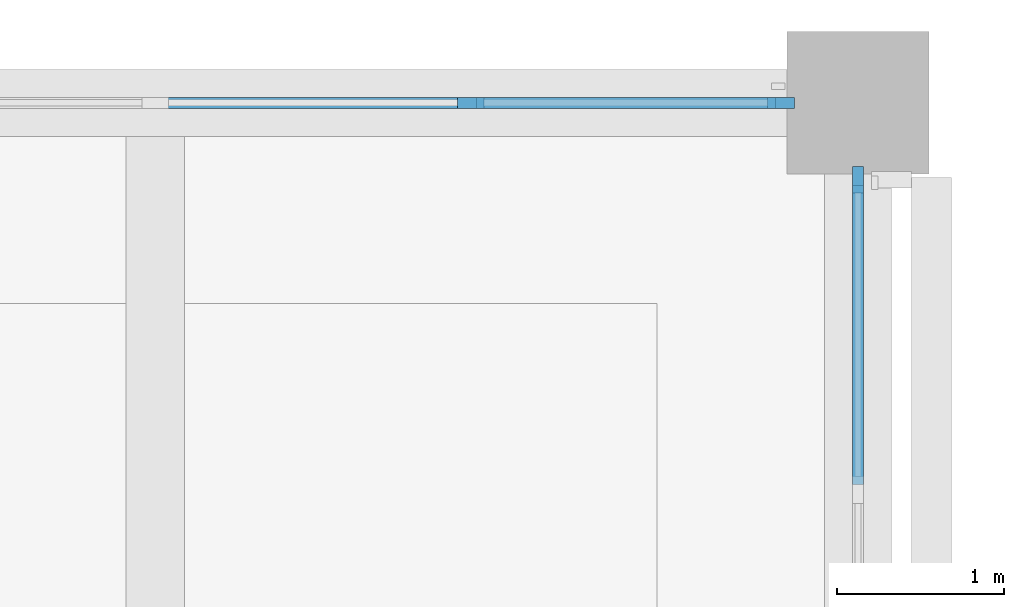
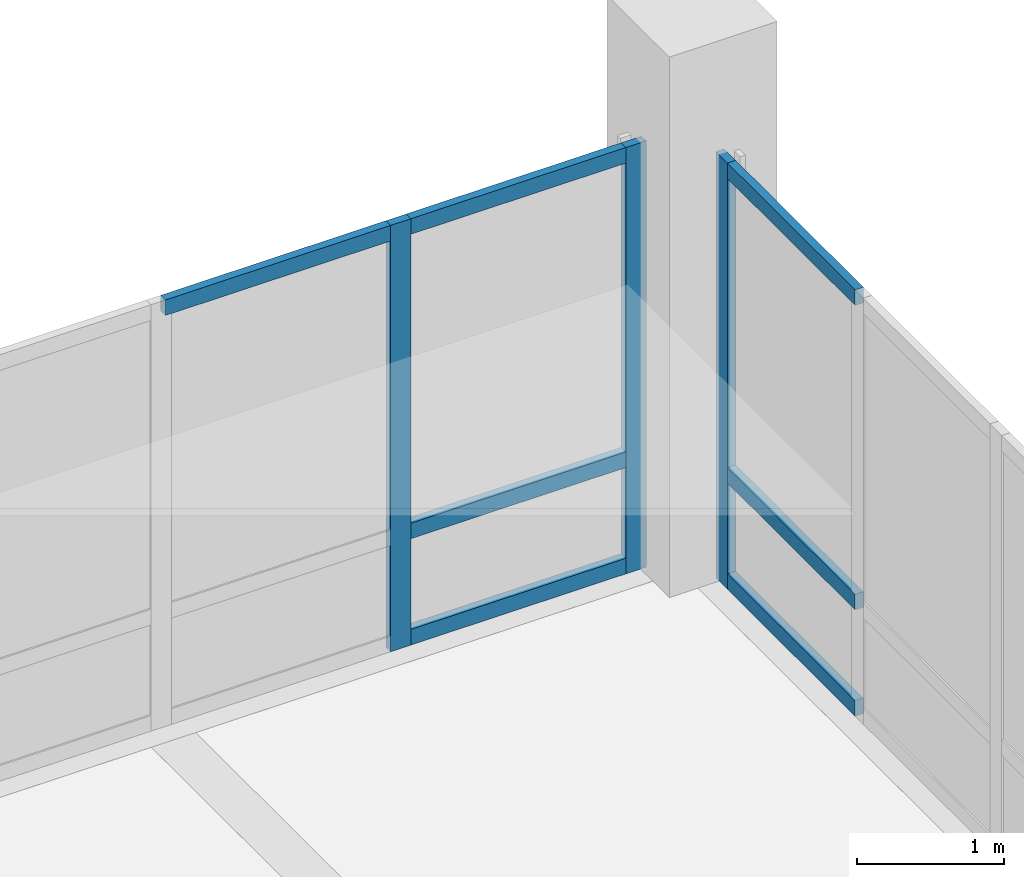
# One storey, part 9 of 39: 10 members, 2 elements without a shape of their own.
"""IFC4 building model written with IfcOpenShell, lengths in metres."""

from ifc_helpers import new_model, si_unit, direction, frame, origin, origin_2d, place, context, subcontext, project, spatial, rectangle, extrude, material, layer, layer_set, material_profile, profile_set, type_object, element, aggregate, save


model = new_model("IFC4")

# Units and contexts
model_context = context("Model", 3, precision=1e-05, world=origin(), true_north=direction((0.0, 1.0)))
body_context = subcontext(model_context, "Body", "Model", "MODEL_VIEW")
ifc_project = project(units=[si_unit("LENGTHUNIT", "METRE"), si_unit("AREAUNIT", "SQUARE_METRE"), si_unit("VOLUMEUNIT", "CUBIC_METRE"), si_unit("PLANEANGLEUNIT", "RADIAN"), si_unit("MASSUNIT", "GRAM", prefix="KILO")], contexts=[model_context])

# Site, building, storey
site_placement = place(None, origin())
site = spatial("IfcSite", under=ifc_project, at=site_placement, CompositionType="ELEMENT")
building_placement = place(site_placement, origin())
building = spatial("IfcBuilding", under=site, at=building_placement, Name="Telukmera Botanical Conservatory", CompositionType="ELEMENT")
storey_placement = place(building_placement, frame((0.0, 0.0, 19.5)))
storey = spatial("IfcBuildingStorey", under=building, at=storey_placement, Name="L04", CompositionType="ELEMENT", Elevation=19.5)

# Curtain wall, members
ifc_material = material(Name="Anodised aluminium 6063-T6", Category="aluminium")
ifc_layer = layer(ifc_material, 0.179931640625)
ifc_layer_set = layer_set([ifc_layer], Name="Anodised aluminium 6063-T6")
curtain_wall_type = type_object("IfcCurtainWallType", Name="Tower Herbarium Curation Corner Curtain Wall", PredefinedType="USERDEFINED", material=ifc_layer_set)
curtain_wall_1_placement = place(storey_placement, origin())
curtain_wall_1 = element("IfcCurtainWall", 1, at=curtain_wall_1_placement, inside=storey, type_object=curtain_wall_type, Name="Unitised Curtain Wall CW14 V4:L04:N7", ObjectType="UNITISED CURTAIN WALL", PredefinedType="USERDEFINED")
ifc_material_profile_1 = material_profile(ifc_material, rectangle(XDim=0.06494140625, YDim=0.159912109375, at=origin_2d()), Name="ALU MULL 65x160")
ifc_profile_set_1 = profile_set([ifc_material_profile_1], Name="Anodised aluminium 6063-T6")
member_type_1 = type_object("IfcMemberType", Name="Curtain Wall Extruded Mullion 65x160", PredefinedType="MULLION", material=ifc_profile_set_1)
member_1_placement = place(storey_placement, frame((106.886474609375, 42.800048828125, 0.0), z_axis=(0.0, 0.0, 1.0), x_axis=(0.0, 1.0, 0.0)))
member_1 = element("IfcMember", 2, at=member_1_placement, type_object=member_type_1, Name="CW14 mullion 4", PredefinedType="MULLION", context=body_context, shape_type="SweptSolid", body=[
    extrude(rectangle(XDim=0.06494140625, YDim=0.159912109375, at=origin_2d()), origin(), (0.0, 0.0, 1.0), 3.550048828125),
])
member_2_placement = place(storey_placement, frame((108.740478515625, 42.800048828125, 0.0), z_axis=(0.0, 0.0, 1.0), x_axis=(0.0, 1.0, 0.0)))
member_2 = element("IfcMember", 3, at=member_2_placement, type_object=member_type_1, Name="CW14 mullion 5", PredefinedType="MULLION", context=body_context, shape_type="SweptSolid", body=[
    extrude(rectangle(XDim=0.06494140625, YDim=0.159912109375, at=origin_2d()), origin(), (0.0, 0.0, 1.0), 3.550048828125),
])

# Curtain wall, member
curtain_wall_2_placement = place(storey_placement, origin())
curtain_wall_2 = element("IfcCurtainWall", 4, at=curtain_wall_2_placement, inside=storey, type_object=curtain_wall_type, Name="Unitised Curtain Wall CW14 V4:L04:E4", ObjectType="UNITISED CURTAIN WALL", PredefinedType="USERDEFINED")
member_3_placement = place(storey_placement, frame((109.199951171875, 42.340576171875, 0.0), z_axis=(0.0, 0.0, 1.0), x_axis=(-1.0, 0.0, 0.0)))
member_3 = element("IfcMember", 5, at=member_3_placement, type_object=member_type_1, Name="CW14 mullion 5", PredefinedType="MULLION", context=body_context, shape_type="SweptSolid", body=[
    extrude(rectangle(XDim=0.06494140625, YDim=0.159912109375, at=origin_2d()), origin(), (0.0, 0.0, 1.0), 3.550048828125),
])

# Member
ifc_material_profile_2 = material_profile(ifc_material, rectangle(XDim=0.06494140625, YDim=0.1298828125, at=origin_2d()), Name="ALU TRAN 65x130")
ifc_profile_set_2 = profile_set([ifc_material_profile_2], Name="Anodised aluminium 6063-T6")
member_type_2 = type_object("IfcMemberType", Name="Curtain Wall Extruded Transom 65x130", PredefinedType="USERDEFINED", material=ifc_profile_set_2)
member_4_placement = place(storey_placement, frame((105.032470703125, 42.800048828125, 3.485107421875), z_axis=(1.0, 0.0, 0.0), x_axis=(0.0, 1.0, 0.0)))
member_4 = element("IfcMember", 6, at=member_4_placement, type_object=member_type_2, Name="CW14 transom 3.3", ObjectType="TRANSOM", PredefinedType="USERDEFINED", context=body_context, shape_type="SweptSolid", body=[
    extrude(rectangle(XDim=0.06494140625, YDim=0.1298828125, at=origin_2d()), origin(), (0.0, 0.0, 1.0), 1.821533203125),
])

member_5_placement = place(storey_placement, frame((106.9189453125, 42.800048828125, 0.06494140625), z_axis=(1.0, 0.0, 0.0), x_axis=(0.0, 1.0, 0.0)))
member_5 = element("IfcMember", 7, at=member_5_placement, type_object=member_type_2, Name="CW14 transom 4.1", ObjectType="TRANSOM", PredefinedType="USERDEFINED", context=body_context, shape_type="SweptSolid", body=[
    extrude(rectangle(XDim=0.06494140625, YDim=0.1298828125, at=origin_2d()), origin(), (0.0, 0.0, 1.0), 1.7890625),
])

member_6_placement = place(storey_placement, frame((106.9189453125, 42.800048828125, 0.949951171875), z_axis=(1.0, 0.0, 0.0), x_axis=(0.0, 1.0, 0.0)))
member_6 = element("IfcMember", 8, at=member_6_placement, type_object=member_type_2, Name="CW14 transom 4.2", ObjectType="TRANSOM", PredefinedType="USERDEFINED", context=body_context, shape_type="SweptSolid", body=[
    extrude(rectangle(XDim=0.06494140625, YDim=0.1298828125, at=origin_2d()), origin(), (0.0, 0.0, 1.0), 1.7890625),
])

member_7_placement = place(storey_placement, frame((106.9189453125, 42.800048828125, 3.485107421875), z_axis=(1.0, 0.0, 0.0), x_axis=(0.0, 1.0, 0.0)))
member_7 = element("IfcMember", 9, at=member_7_placement, type_object=member_type_2, Name="CW14 transom 4.3", ObjectType="TRANSOM", PredefinedType="USERDEFINED", context=body_context, shape_type="SweptSolid", body=[
    extrude(rectangle(XDim=0.06494140625, YDim=0.1298828125, at=origin_2d()), origin(), (0.0, 0.0, 1.0), 1.7890625),
])

aggregate(curtain_wall_1, [member_1, member_2, member_4, member_5, member_6, member_7])

member_8_placement = place(storey_placement, frame((109.199951171875, 40.51904296875, 0.06494140625), z_axis=(0.0, 1.0, 0.0), x_axis=(-1.0, 0.0, 0.0)))
member_8 = element("IfcMember", 10, at=member_8_placement, type_object=member_type_2, Name="CW14 transom 4.1", ObjectType="TRANSOM", PredefinedType="USERDEFINED", context=body_context, shape_type="SweptSolid", body=[
    extrude(rectangle(XDim=0.06494140625, YDim=0.1298828125, at=origin_2d()), origin(), (0.0, 0.0, 1.0), 1.7890625),
])

member_9_placement = place(storey_placement, frame((109.199951171875, 40.51904296875, 0.949951171875), z_axis=(0.0, 1.0, 0.0), x_axis=(-1.0, 0.0, 0.0)))
member_9 = element("IfcMember", 11, at=member_9_placement, type_object=member_type_2, Name="CW14 transom 4.2", ObjectType="TRANSOM", PredefinedType="USERDEFINED", context=body_context, shape_type="SweptSolid", body=[
    extrude(rectangle(XDim=0.06494140625, YDim=0.1298828125, at=origin_2d()), origin(), (0.0, 0.0, 1.0), 1.7890625),
])

member_10_placement = place(storey_placement, frame((109.199951171875, 40.51904296875, 3.485107421875), z_axis=(0.0, 1.0, 0.0), x_axis=(-1.0, 0.0, 0.0)))
member_10 = element("IfcMember", 12, at=member_10_placement, type_object=member_type_2, Name="CW14 transom 4.3", ObjectType="TRANSOM", PredefinedType="USERDEFINED", context=body_context, shape_type="SweptSolid", body=[
    extrude(rectangle(XDim=0.06494140625, YDim=0.1298828125, at=origin_2d()), origin(), (0.0, 0.0, 1.0), 1.7890625),
])

aggregate(curtain_wall_2, [member_3, member_8, member_9, member_10])

save(model, "model.ifc")
